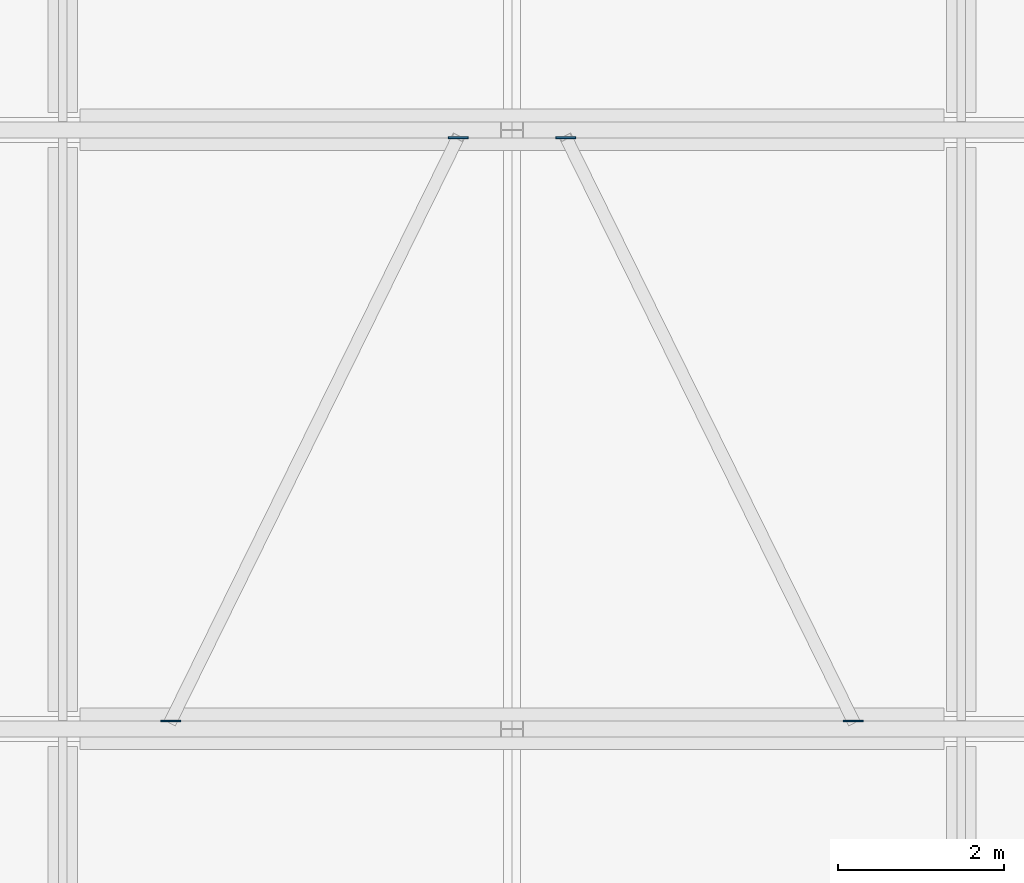
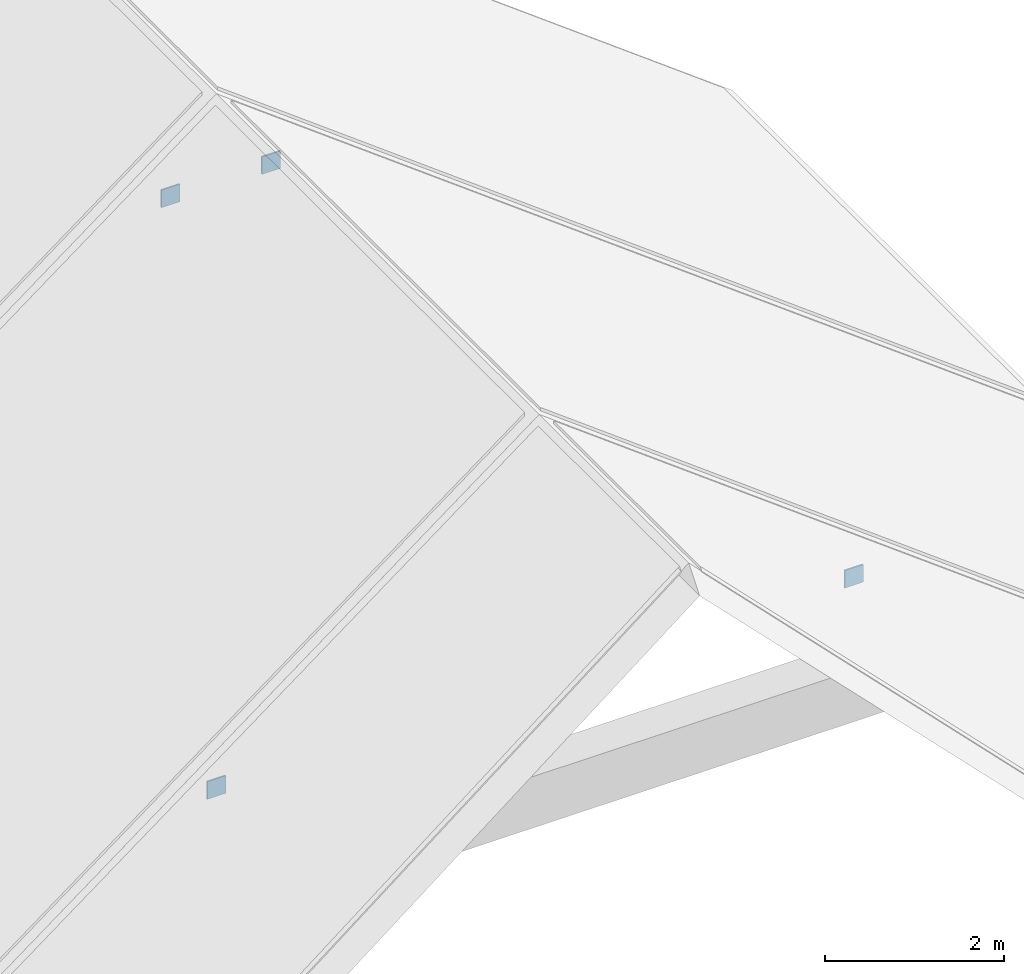
# One storey, part 11 of 16: 4 discrete accessories.
"""IFC4 building model written with IfcOpenShell, lengths in metres."""

from ifc_helpers import new_model, si_unit, derived_unit, direction, frame, origin, origin_2d, place, context, subcontext, project, spatial, rectangle, extrude, material, type_object, element, save


model = new_model("IFC4")

# Units and contexts
model_context = context("Model", 3, precision=1e-05, world=origin(), true_north=direction((0.0, 1.0)))
body_context = subcontext(model_context, "Body", "Model", "MODEL_VIEW")
ifc_project = project(units=[si_unit("LENGTHUNIT", "METRE"), si_unit("AREAUNIT", "SQUARE_METRE"), si_unit("VOLUMEUNIT", "CUBIC_METRE"), si_unit("PLANEANGLEUNIT", "RADIAN"), si_unit("MASSUNIT", "GRAM", prefix="KILO"), derived_unit("THERMALTRANSMITTANCEUNIT", [(si_unit("MASSUNIT", "GRAM", prefix="KILO"), 1), (si_unit("TIMEUNIT", "SECOND"), -3), (si_unit("THERMODYNAMICTEMPERATUREUNIT", "KELVIN"), -1)])], contexts=[model_context])

# Site, building, storey
site_placement = place(None, origin())
site = spatial("IfcSite", under=ifc_project, at=site_placement, CompositionType="ELEMENT")
building_placement = place(site_placement, origin())
building = spatial("IfcBuilding", under=site, at=building_placement, Name="Ochrekiln Boulevard Commons", CompositionType="ELEMENT")
storey_placement = place(building_placement, frame((0.0, 0.0, 43.574951171875)))
storey = spatial("IfcBuildingStorey", under=building, at=storey_placement, Name="L13", CompositionType="ELEMENT", Elevation=43.574951171875)

# Discrete accessories
ifc_material = material(Name="Steel A992 Grade 50", Category="steel")
discrete_accessory_type = type_object("IfcDiscreteAccessoryType", Name="ACC-GUS-PLATE", PredefinedType="BRACKET", material=ifc_material)
for number, where, z_axis, x_axis, name in (
    (1, (157.89599609375, 104.4951171875, 0.58642578125), (0.0, 0.0, 1.0), (1.0, 0.0, 0.0), "Block B Brace 6W End Gusset Plate A"),
    (2, (161.35205078125, 111.5048828125, 3.17822265625), (0.0, 0.0, 1.0), (1.0, 0.0, 0.0), "Block B Brace 6W End Gusset Plate B"),
    (3, (166.10400390625, 104.4951171875, 0.58642578125), (0.0, 0.0, 1.0), (1.0, 0.0, 0.0), "Block B Brace 6E End Gusset Plate A"),
    (4, (162.64794921875, 111.5048828125, 3.17822265625), (0.0, 0.0, 1.0), (1.0, 0.0, 0.0), "Block B Brace 6E End Gusset Plate B"),
):
    element("IfcDiscreteAccessory", number, at=place(storey_placement, frame(where, z_axis=z_axis, x_axis=x_axis)), inside=storey, type_object=discrete_accessory_type, Name=name, PredefinedType="BRACKET", context=body_context, shape_type="SweptSolid", body=[
        extrude(rectangle(XDim=0.239990234375, YDim=0.02001953125, at=origin_2d()), origin(), (0.0, 0.0, 1.0), 0.239990234375),
    ])

save(model, "model.ifc")
